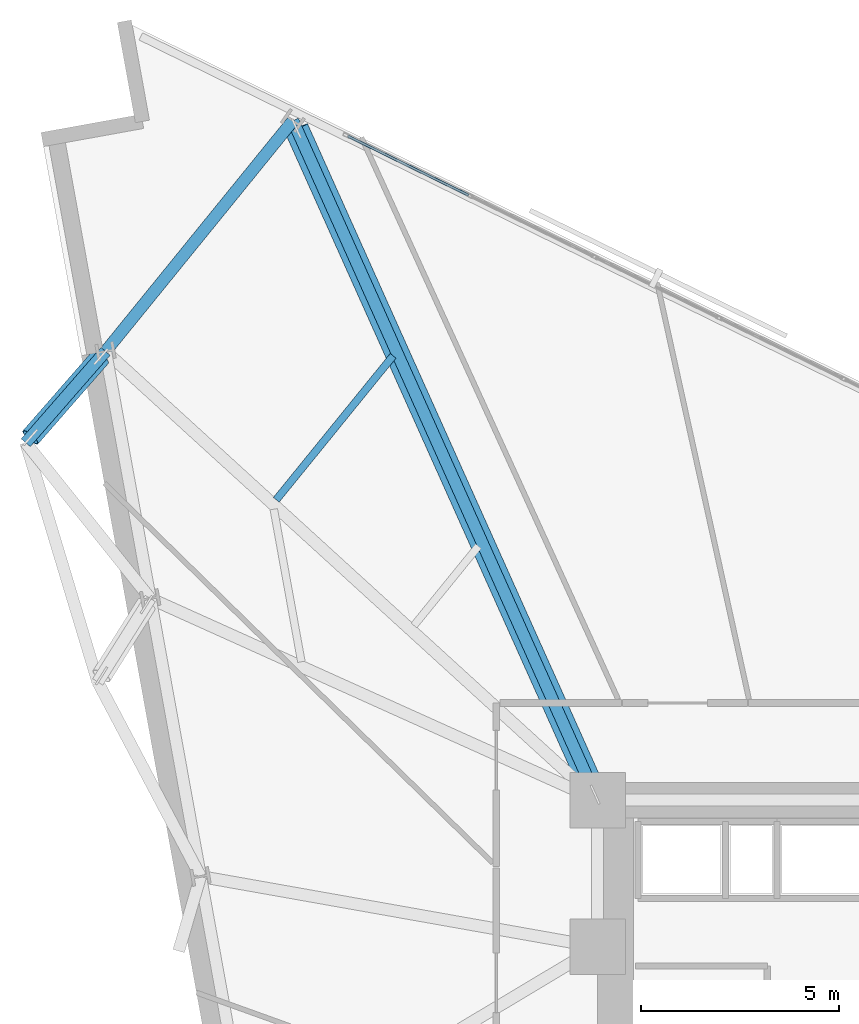
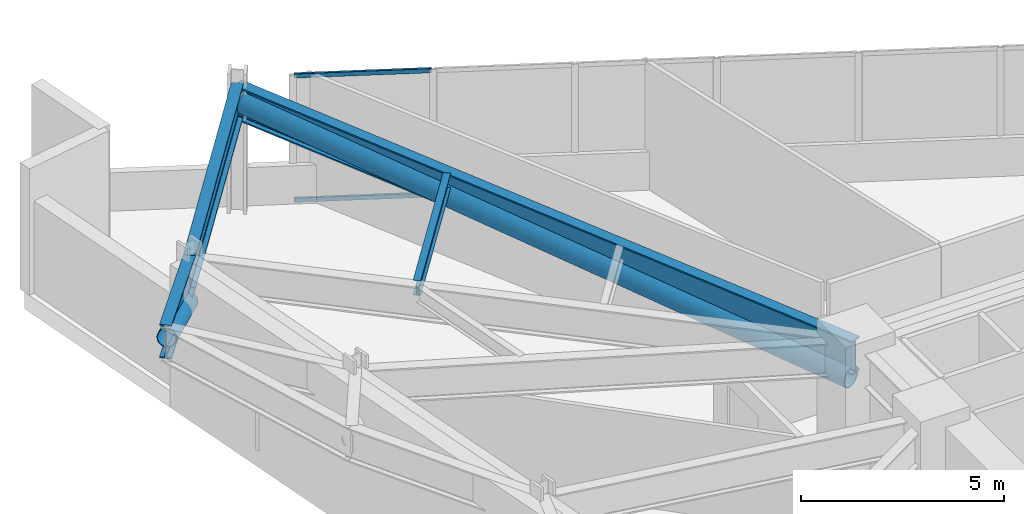
# One storey, part 9 of 19: 4 beams, 4 members, 1 element without a shape of its own.
"""IFC4 building model written with IfcOpenShell, lengths in metres."""

from ifc_helpers import new_model, si_unit, direction, frame, origin, origin_2d, place, context, subcontext, project, spatial, hollow_rectangle, hollow_circle, i_section, extrude, material, material_profile, profile_set, type_object, element, aggregate, save


model = new_model("IFC4")

# Units and contexts
model_context = context("Model", 3, precision=1e-05, world=origin(), true_north=direction((0.0, 1.0)))
body_context = subcontext(model_context, "Body", "Model", "MODEL_VIEW")
ifc_project = project(units=[si_unit("LENGTHUNIT", "METRE"), si_unit("AREAUNIT", "SQUARE_METRE"), si_unit("VOLUMEUNIT", "CUBIC_METRE"), si_unit("PLANEANGLEUNIT", "RADIAN"), si_unit("MASSUNIT", "GRAM", prefix="KILO")], contexts=[model_context])

# Site, building, storey
site_placement = place(None, origin())
site = spatial("IfcSite", under=ifc_project, at=site_placement, CompositionType="ELEMENT")
building_placement = place(site_placement, origin())
building = spatial("IfcBuilding", under=site, at=building_placement, Name="Narakoshi Arena Tower", CompositionType="ELEMENT")
storey_placement = place(building_placement, frame((0.0, 0.0, 128.10009765625)))
storey = spatial("IfcBuildingStorey", under=building, at=storey_placement, Name="L34", CompositionType="ELEMENT", Elevation=128.10009765625)

# Beams
ifc_material_1 = material(Name="Structural steel S355J2", Category="steel")
ifc_material_profile_1 = material_profile(ifc_material_1, i_section(OverallWidth=0.18994140625, OverallDepth=0.449951171875, WebThickness=0.009521484375, FlangeThickness=0.0146484375, FilletRadius=0.02099609375, at=origin_2d()), Name="IPE450")
ifc_profile_set_1 = profile_set([ifc_material_profile_1], Name="Structural steel S355J2")
beam_type_1 = type_object("IfcBeamType", Name="BM-SEC-450", PredefinedType="JOIST", material=ifc_profile_set_1)
beam_1_placement = place(storey_placement, frame((66.844482421875, 67.702880859375, 3.574951171875), z_axis=(-0.630421596357, -0.776252929687, 0.0), x_axis=(0.776252929687, -0.630421596357, 0.0)))
element("IfcBeam", 1, at=beam_1_placement, inside=storey, type_object=beam_type_1, Name="L34 Composite Secondary Floor Joist 06", PredefinedType="JOIST", context=body_context, shape_type="SweptSolid", body=[
    extrude(i_section(OverallWidth=0.18994140625, OverallDepth=0.449951171875, WebThickness=0.009521484375, FlangeThickness=0.0146484375, FilletRadius=0.02099609375, at=origin_2d()), origin(), (0.0, 0.0, 1.0), 4.67578125),
])
ifc_material_2 = material(Name="Structural steel S460ML", Category="steel")
ifc_material_profile_2 = material_profile(ifc_material_2, i_section(OverallWidth=0.302001953125, OverallDepth=1.008056640625, WebThickness=0.02099609375, FlangeThickness=0.0400390625, FilletRadius=0.030029296875, at=origin_2d()), Name="HE1000M")
ifc_profile_set_2 = profile_set([ifc_material_profile_2], Name="Structural steel S460ML")
beam_type_2 = type_object("IfcBeamType", Name="BM-XFER-1000", PredefinedType="BEAM", material=ifc_profile_set_2)
beam_2_placement = place(storey_placement, frame((64.31787109375, 73.633056640625, 3.2958984375), z_axis=(-0.630427035182, -0.776248512598, 0.0), x_axis=(0.776248512598, -0.630427035182, 0.0)))
element("IfcBeam", 2, at=beam_2_placement, inside=storey, type_object=beam_type_2, Name="L34 Perimeter Transfer Ring Girder 09", PredefinedType="BEAM", context=body_context, shape_type="SweptSolid", body=[
    extrude(i_section(OverallWidth=0.302001953125, OverallDepth=1.008056640625, WebThickness=0.02099609375, FlangeThickness=0.0400390625, FilletRadius=0.030029296875, at=origin_2d()), origin(), (0.0, 0.0, 1.0), 7.493896484375),
])
beam_3_placement = place(storey_placement, frame((59.593505859375, 67.81591796875, 3.2958984375), z_axis=(-0.657939407955, -0.753070870144, 0.0), x_axis=(0.753070870144, -0.657939407955, 0.0)))
element("IfcBeam", 3, at=beam_3_placement, inside=storey, type_object=beam_type_2, Name="L34 Block-Turn Transfer Node Girder 10-1", PredefinedType="BEAM", context=body_context, shape_type="SweptSolid", body=[
    extrude(i_section(OverallWidth=0.302001953125, OverallDepth=1.008056640625, WebThickness=0.02099609375, FlangeThickness=0.0400390625, FilletRadius=0.030029296875, at=origin_2d()), origin(), (0.0, 0.0, 1.0), 3.05908203125),
])
beam_4_placement = place(storey_placement, frame((72.0, 56.5, 3.2958984375), z_axis=(-0.409135423529, 0.91247367371, 0.0), x_axis=(-0.91247367371, -0.409135423529, 0.0)))
element("IfcBeam", 4, at=beam_4_placement, inside=storey, type_object=beam_type_2, Name="L34 Radial Primary Floor Girder 09", PredefinedType="BEAM", context=body_context, shape_type="SweptSolid", body=[
    extrude(i_section(OverallWidth=0.302001953125, OverallDepth=1.008056640625, WebThickness=0.02099609375, FlangeThickness=0.0400390625, FilletRadius=0.030029296875, at=origin_2d()), origin(), (0.0, 0.0, 1.0), 18.776611328125),
])

# Members
ifc_material_profile_3 = material_profile(ifc_material_2, hollow_circle(Radius=0.25390625, WallThickness=0.02001953125, at=origin_2d()), Name="CHS508x20")
ifc_profile_set_3 = profile_set([ifc_material_profile_3], Name="Structural steel S460ML")
member_type_1 = type_object("IfcMemberType", Name="MEM-BLT-508", PredefinedType="BRACE", material=ifc_profile_set_3)
member_1_placement = place(storey_placement, frame((59.47509765625, 67.680419921875, 2.5498046875), z_axis=(-0.634148184045, -0.725861669007, 0.266422443008), x_axis=(0.753080748816, -0.657928100755, 0.0)))
element("IfcMember", 5, at=member_1_placement, inside=storey, type_object=member_type_1, Name="L34 Perimeter Belt-Truss Diagonal 10", PredefinedType="BRACE", context=body_context, shape_type="SweptSolid", body=[
    extrude(hollow_circle(Radius=0.25390625, WallThickness=0.02001953125, at=origin_2d()), origin(), (0.0, 0.0, 1.0), 2.800537109375),
])
ifc_material_profile_4 = material_profile(ifc_material_2, hollow_circle(Radius=0.304931640625, WallThickness=0.02490234375, at=origin_2d()), Name="CHS610x25")
ifc_profile_set_4 = profile_set([ifc_material_profile_4], Name="Structural steel S460ML")
member_type_2 = type_object("IfcMemberType", Name="MEM-OUT-610", PredefinedType="BRACE", material=ifc_profile_set_4)
member_2_placement = place(storey_placement, frame((71.938720703125, 56.636962890625, 2.599853515625), z_axis=(-0.408855462395, 0.91181647097, 0.037788015797), x_axis=(-0.91246817593, -0.409147684724, 0.0)))
element("IfcMember", 6, at=member_2_placement, inside=storey, type_object=member_type_2, Name="L34 Core-to-Perimeter Outrigger Truss Diagonal 02", PredefinedType="BRACE", context=body_context, shape_type="SweptSolid", body=[
    extrude(hollow_circle(Radius=0.304931640625, WallThickness=0.02490234375, at=origin_2d()), origin(), (0.0, 0.0, 1.0), 18.419677734375),
])

# Curtain wall, members
ifc_material_3 = material(Name="Anodised bronze aluminium 6063-T6", Category="aluminium")
curtain_wall_type = type_object("IfcCurtainWallType", Name="CW-HYP-LOW", PredefinedType="NOTDEFINED", material=ifc_material_3)
curtain_wall_placement = place(storey_placement, origin())
curtain_wall = element("IfcCurtainWall", 7, at=curtain_wall_placement, inside=storey, type_object=curtain_wall_type, Name="L34 Folded Hypotenuse Curtain Wall 2-1", PredefinedType="NOTDEFINED")
ifc_material_profile_5 = material_profile(ifc_material_3, hollow_rectangle(XDim=0.06494140625, YDim=0.1298828125, WallThickness=0.00390625, OuterFilletRadius=0.0048828125, at=origin_2d()), Name="TRN130x65x4")
ifc_profile_set_5 = profile_set([ifc_material_profile_5], Name="Anodised bronze aluminium 6063-T6")
member_type_3 = type_object("IfcMemberType", Name="MEM-TRN-130", PredefinedType="USERDEFINED", material=ifc_profile_set_5)
member_3_placement = place(storey_placement, frame((68.74560546875, 71.7529296875, 0.032470703125), z_axis=(-0.897988307708, 0.44001931687, 0.0), x_axis=(-0.44001931687, -0.897988307708, 0.0)))
member_3 = element("IfcMember", 8, at=member_3_placement, type_object=member_type_3, Name="CW-01 transom 7.1", ObjectType="TRANSOM", PredefinedType="USERDEFINED", context=body_context, shape_type="SweptSolid", body=[
    extrude(hollow_rectangle(XDim=0.06494140625, YDim=0.1298828125, WallThickness=0.00390625, OuterFilletRadius=0.0048828125, at=origin_2d()), origin(), (0.0, 0.0, 1.0), 3.38671875),
])
member_4_placement = place(storey_placement, frame((68.74560546875, 71.7529296875, 3.767333984375), z_axis=(-0.897988307708, 0.44001931687, 0.0), x_axis=(-0.44001931687, -0.897988307708, 0.0)))
member_4 = element("IfcMember", 9, at=member_4_placement, type_object=member_type_3, Name="CW-01 transom 7.2", ObjectType="TRANSOM", PredefinedType="USERDEFINED", context=body_context, shape_type="SweptSolid", body=[
    extrude(hollow_rectangle(XDim=0.06494140625, YDim=0.1298828125, WallThickness=0.00390625, OuterFilletRadius=0.0048828125, at=origin_2d()), origin(), (0.0, 0.0, 1.0), 3.38671875),
])
aggregate(curtain_wall, [member_3, member_4])

save(model, "model.ifc")
